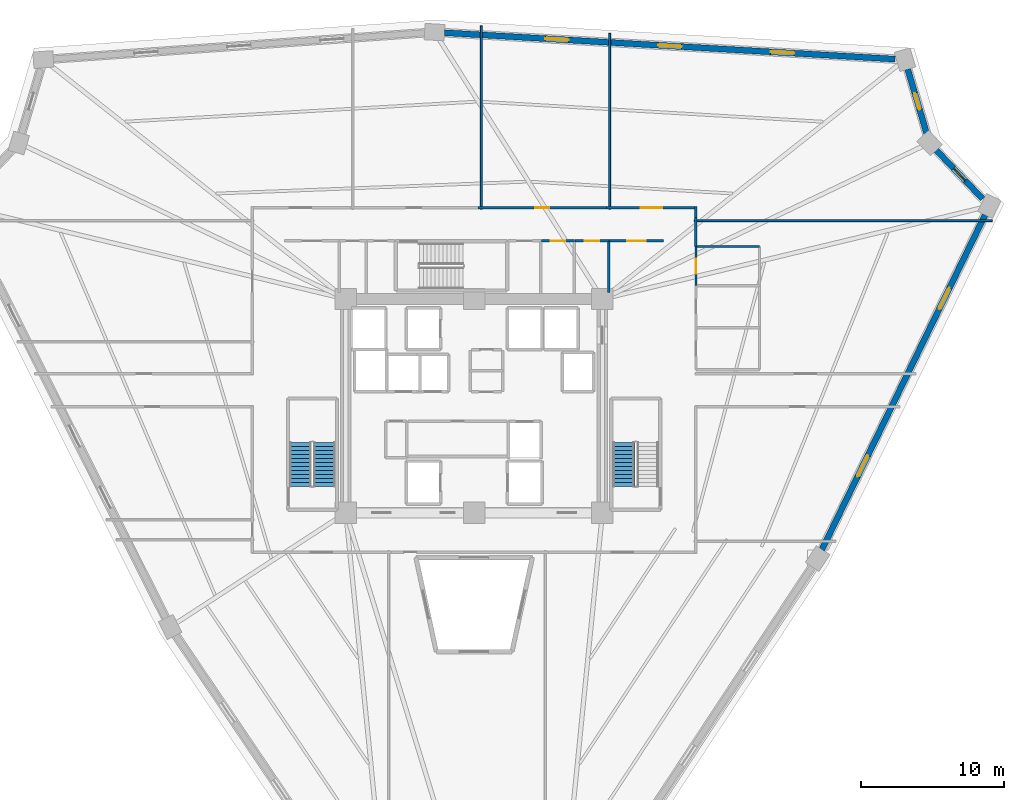
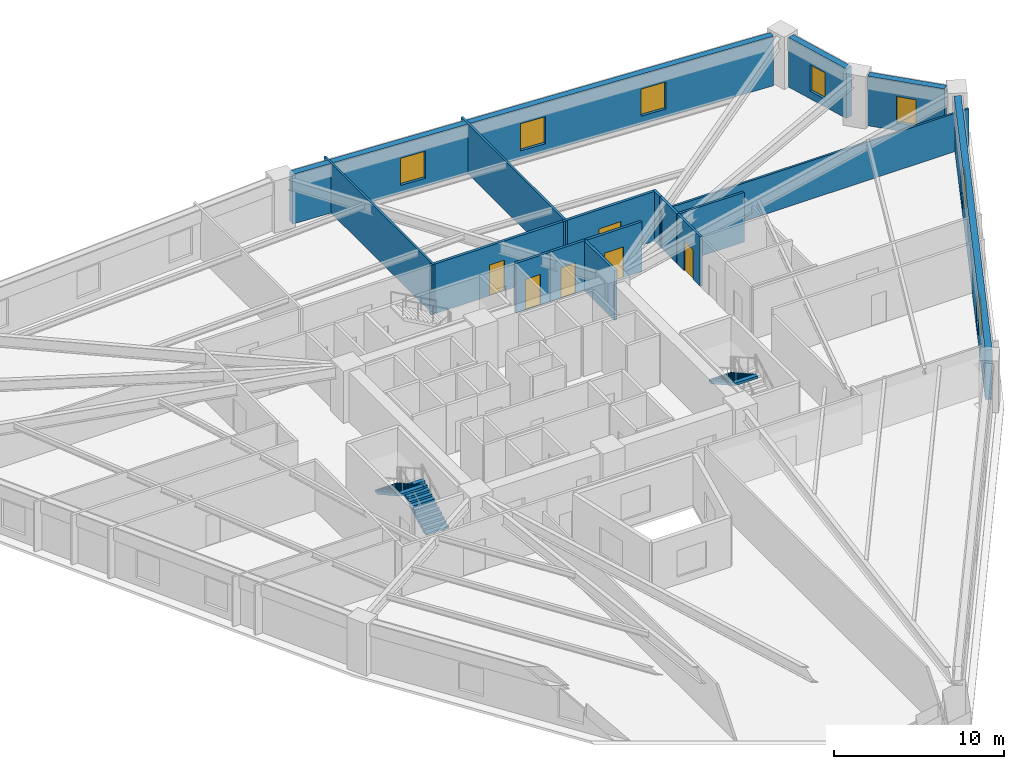
# One storey, part 7 of 10: 17 walls, 7 windows, 6 doors, 3 stair flights, 13 openings, 2 elements without a shape of their own.
"""IFC4 building model written with IfcOpenShell, lengths in metres."""

from ifc_helpers import new_model, si_unit, direction, frame, frame_2d, origin, place, context, subcontext, project, spatial, polyline, rectangle, outline, extrude, source, transform, mapped, material, layer, layer_set, type_object, element, fill, aggregate, save


model = new_model("IFC4")

# Units and contexts
model_context = context("Model", 3, precision=1e-05, world=origin(), true_north=direction((0.0, 1.0)))
body_context = subcontext(model_context, "Body", "Model", "MODEL_VIEW")
ifc_project = project(units=[si_unit("LENGTHUNIT", "METRE"), si_unit("AREAUNIT", "SQUARE_METRE"), si_unit("VOLUMEUNIT", "CUBIC_METRE"), si_unit("PLANEANGLEUNIT", "RADIAN"), si_unit("MASSUNIT", "GRAM", prefix="KILO")], contexts=[model_context])

# Site, building, storey
site_placement = place(None, origin())
site = spatial("IfcSite", under=ifc_project, at=site_placement, CompositionType="ELEMENT")
building_placement = place(site_placement, origin())
building = spatial("IfcBuilding", under=site, at=building_placement, Name="Liaohun Quay Tower", CompositionType="ELEMENT")
storey_placement = place(building_placement, frame((0.0, 0.0, 124.5)))
storey = spatial("IfcBuildingStorey", under=building, at=storey_placement, Name="L32", CompositionType="ELEMENT", Elevation=124.5)

# Wall, openings, windows
ifc_material_1 = material(Name="Precast concrete C50 insulated sandwich", Category="concrete")
ifc_layer_1 = layer(ifc_material_1, 0.419921875, Name="Precast concrete C50 insulated sandwich", Category="concrete")
ifc_layer_set_1 = layer_set([ifc_layer_1], Name="Precast concrete C50 insulated sandwich")
wall_type_1 = type_object("IfcWallType", Name="WAL-EXT-Z12", PredefinedType="SOLIDWALL", material=ifc_layer_set_1)
wall_1_placement = place(storey_placement, frame((84.40087890625, 43.909912109375, 0.0), z_axis=(0.0, 0.0, 1.0), x_axis=(0.438149799109, 0.898901971041, 0.0)))
wall_1 = element("IfcWall", 1, at=wall_1_placement, inside=storey, type_object=wall_type_1, Name="L32 Brutalist Precast Pier Wall 03", PredefinedType="SOLIDWALL", context=body_context, shape_type="SweptSolid", body=[
    extrude(rectangle(XDim=26.1396484375, YDim=0.419921875, at=frame_2d((13.06982421875, 0.0))), origin(), (0.0, 0.0, 1.0), 3.570068359375),
])
shared_shape_1 = source(origin(), body_context, "Body", "SweptSolid", [
    extrude(rectangle(XDim=1.64990234375, YDim=1.949951171875, at=frame_2d((0.824951171875, 0.97509765625))), frame((0.0, 0.219970703125, 0.0), z_axis=(0.0, -1.0, 0.0), x_axis=(1.0, 0.0, 0.0)), (0.0, 0.0, 1.0), 0.43994140625),
])
opening_1_placement = place(wall_1_placement, frame((5.7099609375, 0.0, 0.550048828125)))
opening_1 = element("IfcOpeningElement", 2, at=opening_1_placement, cuts=wall_1, Name="Opening W02", PredefinedType="OPENING", context=body_context, shape_type="MappedRepresentation", body=[
    mapped(shared_shape_1, transform((0.0, 0.0, 0.0), x_axis=(1.0, 0.0, 0.0), y_axis=(0.0, 1.0, 0.0), z_axis=(0.0, 0.0, 1.0), scale=1.0)),
])
opening_2_placement = place(wall_1_placement, frame((18.780029296875, 0.0, 0.550048828125)))
opening_2 = element("IfcOpeningElement", 3, at=opening_2_placement, cuts=wall_1, Name="Opening W02", PredefinedType="OPENING", context=body_context, shape_type="MappedRepresentation", body=[
    mapped(shared_shape_1, transform((0.0, 0.0, 0.0), x_axis=(1.0, 0.0, 0.0), y_axis=(0.0, 1.0, 0.0), z_axis=(0.0, 0.0, 1.0), scale=1.0)),
])
ifc_material_2 = material(Name="Triple Low-E argon glazing in thermally broken aluminium", Category="aluminium")
window_type_1 = type_object("IfcWindowType", Name="WIN-PUN-Z2", PartitioningType="DOUBLE_PANEL_VERTICAL", PredefinedType="WINDOW", material=ifc_material_2)
shared_shape_2 = source(origin(), body_context, "Body", "SweptSolid", [
    extrude(rectangle(XDim=1.64990234375, YDim=1.949951171875, at=frame_2d((0.824951171875, 0.97509765625))), frame((0.0, 0.030029296875, 0.0), z_axis=(0.0, -1.0, 0.0), x_axis=(1.0, 0.0, 0.0)), (0.0, 0.0, 1.0), 0.06005859375),
])
window_1_placement = place(opening_1_placement, origin())
window_1 = element("IfcWindow", 4, at=window_1_placement, inside=storey, type_object=window_type_1, Name="L32 Recessed Cold-Climate Punched Window 03-1", OverallHeight=1.949951171875, OverallWidth=1.64990234375, PartitioningType="DOUBLE_PANEL_VERTICAL", PredefinedType="WINDOW", context=body_context, shape_type="MappedRepresentation", body=[
    mapped(shared_shape_2, transform((0.0, 0.0, 0.0), x_axis=(1.0, 0.0, 0.0), y_axis=(0.0, 1.0, 0.0), z_axis=(0.0, 0.0, 1.0), scale=1.0)),
])
fill(opening_1, window_1)
window_2_placement = place(opening_2_placement, origin())
window_2 = element("IfcWindow", 5, at=window_2_placement, inside=storey, type_object=window_type_1, Name="L32 Recessed Cold-Climate Punched Window 03-3", OverallHeight=1.949951171875, OverallWidth=1.64990234375, PartitioningType="DOUBLE_PANEL_VERTICAL", PredefinedType="WINDOW", context=body_context, shape_type="MappedRepresentation", body=[
    mapped(shared_shape_2, transform((0.0, 0.0, 0.0), x_axis=(1.0, 0.0, 0.0), y_axis=(0.0, 1.0, 0.0), z_axis=(0.0, 0.0, 1.0), scale=1.0)),
])
fill(opening_2, window_2)

# Wall, opening, window
wall_2_placement = place(storey_placement, frame((95.679931640625, 68.527099609375, 0.0), z_axis=(0.0, 0.0, 1.0), x_axis=(-0.689303823825, 0.724472386265, 0.0)))
wall_2 = element("IfcWall", 6, at=wall_2_placement, inside=storey, type_object=wall_type_1, Name="L32 Brutalist Precast Pier Wall 04", PredefinedType="SOLIDWALL", context=body_context, shape_type="SweptSolid", body=[
    extrude(rectangle(XDim=4.720458984375, YDim=0.419921875, at=frame_2d((2.3603515625, 0.0))), origin(), (0.0, 0.0, 1.0), 3.570068359375),
])
shared_shape_3 = source(origin(), body_context, "Body", "SweptSolid", [
    extrude(rectangle(XDim=1.199951171875, YDim=1.89990234375, at=frame_2d((0.60009765625, 0.949951171875))), frame((0.0, 0.219970703125, 0.0), z_axis=(0.0, -1.0, 0.0), x_axis=(1.0, 0.0, 0.0)), (0.0, 0.0, 1.0), 0.43994140625),
])
opening_3_placement = place(wall_2_placement, frame((1.760009765625, 0.0, 0.550048828125)))
opening_3 = element("IfcOpeningElement", 7, at=opening_3_placement, cuts=wall_2, Name="Opening W05", PredefinedType="OPENING", context=body_context, shape_type="MappedRepresentation", body=[
    mapped(shared_shape_3, transform((0.0, 0.0, 0.0), x_axis=(1.0, 0.0, 0.0), y_axis=(0.0, 1.0, 0.0), z_axis=(0.0, 0.0, 1.0), scale=1.0)),
])
ifc_material_3 = material(Name="Triple Low-E corner notch glazing", Category="glass")
window_type_2 = type_object("IfcWindowType", Name="WIN-NOTCH", PartitioningType="SINGLE_PANEL", PredefinedType="WINDOW", material=ifc_material_3)
shared_shape_4 = source(origin(), body_context, "Body", "SweptSolid", [
    extrude(rectangle(XDim=1.199951171875, YDim=1.89990234375, at=frame_2d((0.60009765625, 0.949951171875))), frame((0.0, 0.030029296875, 0.0), z_axis=(0.0, -1.0, 0.0), x_axis=(1.0, 0.0, 0.0)), (0.0, 0.0, 1.0), 0.06005859375),
])
window_3_placement = place(opening_3_placement, origin())
window_3 = element("IfcWindow", 8, at=window_3_placement, inside=storey, type_object=window_type_2, Name="L32 Corner Notch Window W05-04", OverallHeight=1.89990234375, OverallWidth=1.199951171875, PartitioningType="SINGLE_PANEL", PredefinedType="WINDOW", context=body_context, shape_type="MappedRepresentation", body=[
    mapped(shared_shape_4, transform((0.0, 0.0, 0.0), x_axis=(1.0, 0.0, 0.0), y_axis=(0.0, 1.0, 0.0), z_axis=(0.0, 0.0, 1.0), scale=1.0)),
])
fill(opening_3, window_3)

wall_3_placement = place(storey_placement, frame((91.7548828125, 73.10888671875, 0.0), z_axis=(0.0, 0.0, 1.0), x_axis=(-0.282572950825, 0.959245811803, 0.0)))
wall_3 = element("IfcWall", 9, at=wall_3_placement, inside=storey, type_object=wall_type_1, Name="L32 Brutalist Precast Pier Wall 05", PredefinedType="SOLIDWALL", context=body_context, shape_type="SweptSolid", body=[
    extrude(rectangle(XDim=4.713134765625, YDim=0.419921875, at=frame_2d((2.3564453125, 0.0))), origin(), (0.0, 0.0, 1.0), 3.570068359375),
])
opening_4_placement = place(wall_3_placement, frame((1.757080078125, 0.0, 0.550048828125)))
opening_4 = element("IfcOpeningElement", 10, at=opening_4_placement, cuts=wall_3, Name="Opening W05", PredefinedType="OPENING", context=body_context, shape_type="MappedRepresentation", body=[
    mapped(shared_shape_3, transform((0.0, 0.0, 0.0), x_axis=(1.0, 0.0, 0.0), y_axis=(0.0, 1.0, 0.0), z_axis=(0.0, 0.0, 1.0), scale=1.0)),
])
window_4_placement = place(opening_4_placement, origin())
window_4 = element("IfcWindow", 11, at=window_4_placement, inside=storey, type_object=window_type_2, Name="L32 Corner Notch Window W05-05", OverallHeight=1.89990234375, OverallWidth=1.199951171875, PartitioningType="SINGLE_PANEL", PredefinedType="WINDOW", context=body_context, shape_type="MappedRepresentation", body=[
    mapped(shared_shape_4, transform((0.0, 0.0, 0.0), x_axis=(1.0, 0.0, 0.0), y_axis=(0.0, 1.0, 0.0), z_axis=(0.0, 0.0, 1.0), scale=1.0)),
])
fill(opening_4, window_4)

# Wall, openings, windows
wall_4_placement = place(storey_placement, frame((89.5390625, 78.33203125, 0.0), z_axis=(0.0, 0.0, 1.0), x_axis=(-0.998285887644, 0.058525947494, 0.0)))
wall_4 = element("IfcWall", 12, at=wall_4_placement, inside=storey, type_object=wall_type_1, Name="L32 Brutalist Precast Pier Wall 06", PredefinedType="SOLIDWALL", context=body_context, shape_type="SweptSolid", body=[
    extrude(rectangle(XDim=31.67822265625, YDim=0.419921875, at=frame_2d((15.839111328125, 0.0))), origin(), (0.0, 0.0, 1.0), 3.570068359375),
])
opening_5_placement = place(wall_4_placement, frame((7.094970703125, 0.0, 0.550048828125)))
opening_5 = element("IfcOpeningElement", 13, at=opening_5_placement, cuts=wall_4, Name="Opening W02", PredefinedType="OPENING", context=body_context, shape_type="MappedRepresentation", body=[
    mapped(shared_shape_1, transform((0.0, 0.0, 0.0), x_axis=(1.0, 0.0, 0.0), y_axis=(0.0, 1.0, 0.0), z_axis=(0.0, 0.0, 1.0), scale=1.0)),
])
opening_6_placement = place(wall_4_placement, frame((15.013916015625, 0.0, 0.550048828125)))
opening_6 = element("IfcOpeningElement", 14, at=opening_6_placement, cuts=wall_4, Name="Opening W02", PredefinedType="OPENING", context=body_context, shape_type="MappedRepresentation", body=[
    mapped(shared_shape_1, transform((0.0, 0.0, 0.0), x_axis=(1.0, 0.0, 0.0), y_axis=(0.0, 1.0, 0.0), z_axis=(0.0, 0.0, 1.0), scale=1.0)),
])
opening_7_placement = place(wall_4_placement, frame((22.93408203125, 0.0, 0.550048828125)))
opening_7 = element("IfcOpeningElement", 15, at=opening_7_placement, cuts=wall_4, Name="Opening W02", PredefinedType="OPENING", context=body_context, shape_type="MappedRepresentation", body=[
    mapped(shared_shape_1, transform((0.0, 0.0, 0.0), x_axis=(1.0, 0.0, 0.0), y_axis=(0.0, 1.0, 0.0), z_axis=(0.0, 0.0, 1.0), scale=1.0)),
])
window_5_placement = place(opening_5_placement, origin())
window_5 = element("IfcWindow", 16, at=window_5_placement, inside=storey, type_object=window_type_1, Name="L32 Recessed Cold-Climate Punched Window 06-1", OverallHeight=1.949951171875, OverallWidth=1.64990234375, PartitioningType="DOUBLE_PANEL_VERTICAL", PredefinedType="WINDOW", context=body_context, shape_type="MappedRepresentation", body=[
    mapped(shared_shape_2, transform((0.0, 0.0, 0.0), x_axis=(1.0, 0.0, 0.0), y_axis=(0.0, 1.0, 0.0), z_axis=(0.0, 0.0, 1.0), scale=1.0)),
])
fill(opening_5, window_5)
window_6_placement = place(opening_6_placement, origin())
window_6 = element("IfcWindow", 17, at=window_6_placement, inside=storey, type_object=window_type_1, Name="L32 Recessed Cold-Climate Punched Window 06-2", OverallHeight=1.949951171875, OverallWidth=1.64990234375, PartitioningType="DOUBLE_PANEL_VERTICAL", PredefinedType="WINDOW", context=body_context, shape_type="MappedRepresentation", body=[
    mapped(shared_shape_2, transform((0.0, 0.0, 0.0), x_axis=(1.0, 0.0, 0.0), y_axis=(0.0, 1.0, 0.0), z_axis=(0.0, 0.0, 1.0), scale=1.0)),
])
fill(opening_6, window_6)
window_7_placement = place(opening_7_placement, origin())
window_7 = element("IfcWindow", 18, at=window_7_placement, inside=storey, type_object=window_type_1, Name="L32 Recessed Cold-Climate Punched Window 06-3", OverallHeight=1.949951171875, OverallWidth=1.64990234375, PartitioningType="DOUBLE_PANEL_VERTICAL", PredefinedType="WINDOW", context=body_context, shape_type="MappedRepresentation", body=[
    mapped(shared_shape_2, transform((0.0, 0.0, 0.0), x_axis=(1.0, 0.0, 0.0), y_axis=(0.0, 1.0, 0.0), z_axis=(0.0, 0.0, 1.0), scale=1.0)),
])
fill(opening_7, window_7)

# Wall, opening, door
ifc_material_4 = material(Name="Autoclaved aerated concrete blockwork", Category="masonry")
ifc_layer_2 = layer(ifc_material_4, 0.179931640625, Name="Autoclaved aerated concrete blockwork", Category="masonry")
ifc_layer_set_2 = layer_set([ifc_layer_2], Name="Autoclaved aerated concrete blockwork")
wall_type_2 = type_object("IfcWallType", Name="WAL-PRT-COR", PredefinedType="PARTITIONING", material=ifc_layer_set_2)
wall_5_placement = place(storey_placement, frame((64.719970703125, 65.580078125, 0.0), z_axis=(0.0, 0.0, 1.0), x_axis=(1.0, 0.0, 0.0)))
wall_5 = element("IfcWall", 19, at=wall_5_placement, inside=storey, type_object=wall_type_2, Name="L32 Interior Partition Wall 011", PredefinedType="PARTITIONING", context=body_context, shape_type="SweptSolid", body=[
    extrude(rectangle(XDim=2.320068359375, YDim=0.179931640625, at=frame_2d((1.16015625, 0.0))), origin(), (0.0, 0.0, 1.0), 3.570068359375),
])
shared_shape_5 = source(origin(), body_context, "Body", "SweptSolid", [
    extrude(rectangle(XDim=1.0, YDim=2.199951171875, at=frame_2d((0.5, 1.10009765625))), frame((0.0, 0.099853515625, 0.0), z_axis=(0.0, -1.0, 0.0), x_axis=(1.0, 0.0, 0.0)), (0.0, 0.0, 1.0), 0.199951171875),
])
opening_8_placement = place(wall_5_placement, frame((0.659912109375, 0.0, 0.0)))
opening_8 = element("IfcOpeningElement", 20, at=opening_8_placement, cuts=wall_5, Name="Opening OD1", PredefinedType="OPENING", context=body_context, shape_type="MappedRepresentation", body=[
    mapped(shared_shape_5, transform((0.0, 0.0, 0.0), x_axis=(1.0, 0.0, 0.0), y_axis=(0.0, 1.0, 0.0), z_axis=(0.0, 0.0, 1.0), scale=1.0)),
])
ifc_material_5 = material(Name="Solid-core oak veneer timber leaf in steel frame", Category="steel")
door_type_1 = type_object("IfcDoorType", Name="DOR-OFF-1000", OperationType="NOTDEFINED", PredefinedType="DOOR", material=ifc_material_5)
shared_shape_6 = source(origin(), body_context, "Body", "SweptSolid", [
    extrude(rectangle(XDim=1.0, YDim=2.199951171875, at=frame_2d((0.5, 1.10009765625))), frame((0.0, 0.02490234375, 0.0), z_axis=(0.0, -1.0, 0.0), x_axis=(1.0, 0.0, 0.0)), (0.0, 0.0, 1.0), 0.050048828125),
])
door_1_placement = place(opening_8_placement, origin())
door_1 = element("IfcDoor", 21, at=door_1_placement, inside=storey, type_object=door_type_1, Name="L32 North-East Comms Room Door", OperationType="SINGLE_SWING_RIGHT", OverallHeight=2.199951171875, OverallWidth=1.0, PredefinedType="DOOR", context=body_context, shape_type="MappedRepresentation", body=[
    mapped(shared_shape_6, transform((0.0, 0.0, 0.0), x_axis=(1.0, 0.0, 0.0), y_axis=(0.0, 1.0, 0.0), z_axis=(0.0, 0.0, 1.0), scale=1.0)),
])
fill(opening_8, door_1)

wall_6_placement = place(storey_placement, frame((67.080078125, 65.580078125, 0.0), z_axis=(0.0, 0.0, 1.0), x_axis=(1.0, 0.0, 0.0)))
wall_6 = element("IfcWall", 22, at=wall_6_placement, inside=storey, type_object=wall_type_2, Name="L32 Interior Partition Wall 012", PredefinedType="PARTITIONING", context=body_context, shape_type="SweptSolid", body=[
    extrude(rectangle(XDim=2.3798828125, YDim=0.179931640625, at=frame_2d((1.18994140625, 0.0))), origin(), (0.0, 0.0, 1.0), 3.570068359375),
])
opening_9_placement = place(wall_6_placement, frame((0.68994140625, 0.0, 0.0)))
opening_9 = element("IfcOpeningElement", 23, at=opening_9_placement, cuts=wall_6, Name="Opening OD1", PredefinedType="OPENING", context=body_context, shape_type="MappedRepresentation", body=[
    mapped(shared_shape_5, transform((0.0, 0.0, 0.0), x_axis=(1.0, 0.0, 0.0), y_axis=(0.0, 1.0, 0.0), z_axis=(0.0, 0.0, 1.0), scale=1.0)),
])
door_2_placement = place(opening_9_placement, origin())
door_2 = element("IfcDoor", 24, at=door_2_placement, inside=storey, type_object=door_type_1, Name="L32 North-East Cleaner Store Door", OperationType="SINGLE_SWING_LEFT", OverallHeight=2.199951171875, OverallWidth=1.0, PredefinedType="DOOR", context=body_context, shape_type="MappedRepresentation", body=[
    mapped(shared_shape_6, transform((0.0, 0.0, 0.0), x_axis=(1.0, 0.0, 0.0), y_axis=(0.0, 1.0, 0.0), z_axis=(0.0, 0.0, 1.0), scale=1.0)),
])
fill(opening_9, door_2)

wall_7_placement = place(storey_placement, frame((69.4599609375, 65.580078125, 0.0), z_axis=(0.0, 0.0, 1.0), x_axis=(1.0, 0.0, 0.0)))
wall_7 = element("IfcWall", 25, at=wall_7_placement, inside=storey, type_object=wall_type_2, Name="L32 Interior Partition Wall 014", PredefinedType="PARTITIONING", context=body_context, shape_type="SweptSolid", body=[
    extrude(rectangle(XDim=3.840087890625, YDim=0.179931640625, at=frame_2d((1.919921875, 0.0))), origin(), (0.0, 0.0, 1.0), 3.570068359375),
])
shared_shape_7 = source(origin(), body_context, "Body", "SweptSolid", [
    extrude(rectangle(XDim=1.300048828125, YDim=2.199951171875, at=frame_2d((0.64990234375, 1.10009765625))), frame((0.0, 0.099853515625, 0.0), z_axis=(0.0, -1.0, 0.0), x_axis=(1.0, 0.0, 0.0)), (0.0, 0.0, 1.0), 0.199951171875),
])
opening_10_placement = place(wall_7_placement, frame((1.27001953125, 0.0, 0.0)))
opening_10 = element("IfcOpeningElement", 26, at=opening_10_placement, cuts=wall_7, Name="Opening FD1", PredefinedType="OPENING", context=body_context, shape_type="MappedRepresentation", body=[
    mapped(shared_shape_7, transform((0.0, 0.0, 0.0), x_axis=(1.0, 0.0, 0.0), y_axis=(0.0, 1.0, 0.0), z_axis=(0.0, 0.0, 1.0), scale=1.0)),
])
ifc_material_6 = material(Name="Galvanised steel smokeproof fire door", Category="steel")
door_type_2 = type_object("IfcDoorType", Name="DOR-FFL-1300", OperationType="NOTDEFINED", PredefinedType="DOOR", material=ifc_material_6)
shared_shape_8 = source(origin(), body_context, "Body", "SweptSolid", [
    extrude(rectangle(XDim=1.300048828125, YDim=2.199951171875, at=frame_2d((0.64990234375, 1.10009765625))), frame((0.0, 0.02490234375, 0.0), z_axis=(0.0, -1.0, 0.0), x_axis=(1.0, 0.0, 0.0)), (0.0, 0.0, 1.0), 0.050048828125),
])
door_3_placement = place(opening_10_placement, origin())
door_3 = element("IfcDoor", 27, at=door_3_placement, inside=storey, type_object=door_type_2, Name="L32 East Core Vestibule Door", OperationType="SINGLE_SWING_LEFT", OverallHeight=2.199951171875, OverallWidth=1.300048828125, PredefinedType="DOOR", context=body_context, shape_type="MappedRepresentation", body=[
    mapped(shared_shape_8, transform((0.0, 0.0, 0.0), x_axis=(1.0, 0.0, 0.0), y_axis=(0.0, 1.0, 0.0), z_axis=(0.0, 0.0, 1.0), scale=1.0)),
])
fill(opening_10, door_3)

wall_8_placement = place(storey_placement, frame((69.284912109375, 67.909912109375, 0.0), z_axis=(0.0, 0.0, 1.0), x_axis=(1.0, 0.0, 0.0)))
wall_8 = element("IfcWall", 28, at=wall_8_placement, inside=storey, type_object=wall_type_2, Name="L32 Interior Partition Wall 016", PredefinedType="PARTITIONING", context=body_context, shape_type="SweptSolid", body=[
    extrude(rectangle(XDim=6.344970703125, YDim=0.179931640625, at=frame_2d((3.17236328125, 0.0))), origin(), (0.0, 0.0, 1.0), 3.570068359375),
])
shared_shape_9 = source(origin(), body_context, "Body", "SweptSolid", [
    extrude(rectangle(XDim=1.5, YDim=2.199951171875, at=frame_2d((0.75, 1.10009765625))), frame((0.0, 0.099853515625, 0.0), z_axis=(0.0, -1.0, 0.0), x_axis=(1.0, 0.0, 0.0)), (0.0, 0.0, 1.0), 0.199951171875),
])
opening_11_placement = place(wall_8_placement, frame((2.422119140625, 0.0, 0.0)))
opening_11 = element("IfcOpeningElement", 29, at=opening_11_placement, cuts=wall_8, Name="Opening OD2", PredefinedType="OPENING", context=body_context, shape_type="MappedRepresentation", body=[
    mapped(shared_shape_9, transform((0.0, 0.0, 0.0), x_axis=(1.0, 0.0, 0.0), y_axis=(0.0, 1.0, 0.0), z_axis=(0.0, 0.0, 1.0), scale=1.0)),
])
ifc_material_7 = material(Name="Acoustic oak veneer double door")
door_type_3 = type_object("IfcDoorType", Name="DOR-OFF-1500", OperationType="DOUBLE_DOOR_SINGLE_SWING", PredefinedType="DOOR", material=ifc_material_7)
shared_shape_10 = source(origin(), body_context, "Body", "SweptSolid", [
    extrude(rectangle(XDim=1.5, YDim=2.199951171875, at=frame_2d((0.75, 1.10009765625))), frame((0.0, 0.02490234375, 0.0), z_axis=(0.0, -1.0, 0.0), x_axis=(1.0, 0.0, 0.0)), (0.0, 0.0, 1.0), 0.050048828125),
])
door_4_placement = place(opening_11_placement, origin())
door_4 = element("IfcDoor", 30, at=door_4_placement, inside=storey, type_object=door_type_3, Name="L32 Digital Prototyping Laboratory 02 Door", OperationType="DOUBLE_DOOR_SINGLE_SWING", OverallHeight=2.199951171875, OverallWidth=1.5, PredefinedType="DOOR", context=body_context, shape_type="MappedRepresentation", body=[
    mapped(shared_shape_10, transform((0.0, 0.0, 0.0), x_axis=(1.0, 0.0, 0.0), y_axis=(0.0, 1.0, 0.0), z_axis=(0.0, 0.0, 1.0), scale=1.0)),
])
fill(opening_11, door_4)

wall_9_placement = place(storey_placement, frame((60.284912109375, 67.909912109375, 0.0), z_axis=(0.0, 0.0, 1.0), x_axis=(1.0, 0.0, 0.0)))
wall_9 = element("IfcWall", 31, at=wall_9_placement, inside=storey, type_object=wall_type_2, Name="L32 Interior Partition Wall 017", PredefinedType="PARTITIONING", context=body_context, shape_type="SweptSolid", body=[
    extrude(rectangle(XDim=9.0, YDim=0.179931640625, at=frame_2d((4.5, 0.0))), origin(), (0.0, 0.0, 1.0), 3.570068359375),
])
opening_12_placement = place(wall_9_placement, frame((4.0, 0.0, 0.0)))
opening_12 = element("IfcOpeningElement", 32, at=opening_12_placement, cuts=wall_9, Name="Opening OD1", PredefinedType="OPENING", context=body_context, shape_type="MappedRepresentation", body=[
    mapped(shared_shape_5, transform((0.0, 0.0, 0.0), x_axis=(1.0, 0.0, 0.0), y_axis=(0.0, 1.0, 0.0), z_axis=(0.0, 0.0, 1.0), scale=1.0)),
])
door_5_placement = place(opening_12_placement, origin())
door_5 = element("IfcDoor", 33, at=door_5_placement, inside=storey, type_object=door_type_1, Name="L32 Technical Reference Library 03 Door", OperationType="SINGLE_SWING_RIGHT", OverallHeight=2.199951171875, OverallWidth=1.0, PredefinedType="DOOR", context=body_context, shape_type="MappedRepresentation", body=[
    mapped(shared_shape_6, transform((0.0, 0.0, 0.0), x_axis=(1.0, 0.0, 0.0), y_axis=(0.0, 1.0, 0.0), z_axis=(0.0, 0.0, 1.0), scale=1.0)),
])
fill(opening_12, door_5)

# Walls
wall_10_placement = place(storey_placement, frame((69.4599609375, 61.949951171875, 0.0), z_axis=(0.0, 0.0, 1.0), x_axis=(0.0, 1.0, 0.0)))
element("IfcWall", 34, at=wall_10_placement, inside=storey, type_object=wall_type_2, Name="L32 Interior Partition Wall 043", PredefinedType="PARTITIONING", context=body_context, shape_type="SweptSolid", body=[
    extrude(rectangle(XDim=3.630126953125, YDim=0.179931640625, at=frame_2d((1.81494140625, 0.0))), origin(), (0.0, 0.0, 1.0), 3.570068359375),
])
wall_11_placement = place(storey_placement, frame((75.56005859375, 67.215087890625, 0.0), z_axis=(0.0, 0.0, 1.0), x_axis=(0.0, -1.0, 0.0)))
element("IfcWall", 35, at=wall_11_placement, inside=storey, type_object=wall_type_2, Name="L32 Interior Partition Wall 044", PredefinedType="PARTITIONING", context=body_context, shape_type="SweptSolid", body=[
    extrude(rectangle(XDim=2.03515625, YDim=0.179931640625, at=frame_2d((1.017578125, 0.0))), origin(), (0.0, 0.0, 1.0), 3.570068359375),
])
wall_12_placement = place(storey_placement, frame((75.56005859375, 67.97998046875, 0.0), z_axis=(0.0, 0.0, 1.0), x_axis=(0.0, -1.0, 0.0)))
element("IfcWall", 36, at=wall_12_placement, inside=storey, type_object=wall_type_2, Name="L32 Interior Partition Wall 045", PredefinedType="PARTITIONING", context=body_context, shape_type="SweptSolid", body=[
    extrude(rectangle(XDim=0.764892578125, YDim=0.179931640625, at=frame_2d((0.38232421875, 0.0))), origin(), (0.0, 0.0, 1.0), 3.570068359375),
])
ifc_material_8 = material(Name="Gypsum board on twin steel studs", Category="steel")
ifc_layer_3 = layer(ifc_material_8, 0.139892578125, Name="Gypsum board on twin steel studs", Category="steel")
ifc_layer_set_3 = layer_set([ifc_layer_3], Name="Gypsum board on twin steel studs")
wall_type_3 = type_object("IfcWallType", Name="WAL-PRT-OFF", PredefinedType="PARTITIONING", material=ifc_layer_set_3)
wall_13_placement = place(storey_placement, frame((75.4599609375, 67.0, 0.0), z_axis=(0.0, 0.0, 1.0), x_axis=(1.0, 0.0, 0.0)))
element("IfcWall", 37, at=wall_13_placement, inside=storey, type_object=wall_type_3, Name="L32 Interior Partition Wall 057", PredefinedType="PARTITIONING", context=body_context, shape_type="SweptSolid", body=[
    extrude(rectangle(XDim=20.89697265625, YDim=0.139892578125, at=frame_2d((10.448486328125, 0.0))), origin(), (0.0, 0.0, 1.0), 2.7548828125),
])
wall_14_placement = place(storey_placement, frame((60.5, 67.81005859375, 0.0), z_axis=(0.0, 0.0, 1.0), x_axis=(0.0, 1.0, 0.0)))
element("IfcWall", 38, at=wall_14_placement, inside=storey, type_object=wall_type_3, Name="L32 Interior Partition Wall 059", PredefinedType="PARTITIONING", context=body_context, shape_type="SweptSolid", body=[
    extrude(rectangle(XDim=12.85498046875, YDim=0.139892578125, at=frame_2d((6.427490234375, 0.0))), origin(), (0.0, 0.0, 1.0), 3.570068359375),
])
wall_15_placement = place(storey_placement, frame((69.5, 67.81005859375, 0.0), z_axis=(0.0, 0.0, 1.0), x_axis=(0.0, 1.0, 0.0)))
element("IfcWall", 39, at=wall_15_placement, inside=storey, type_object=wall_type_3, Name="L32 Interior Partition Wall 060", PredefinedType="PARTITIONING", context=body_context, shape_type="SweptSolid", body=[
    extrude(rectangle(XDim=12.327880859375, YDim=0.139892578125, at=frame_2d((6.1640625, 0.0))), origin(), (0.0, 0.0, 1.0), 3.570068359375),
])

# Wall, opening, door
ifc_material_9 = material(Name="Moisture-resistant masonry blockwork", Category="masonry")
ifc_layer_4 = layer(ifc_material_9, 0.159912109375, Name="Moisture-resistant masonry blockwork", Category="masonry")
ifc_layer_set_4 = layer_set([ifc_layer_4], Name="Moisture-resistant masonry blockwork")
wall_type_4 = type_object("IfcWallType", Name="WAL-PRT-WET", PredefinedType="PARTITIONING", material=ifc_layer_set_4)
wall_16_placement = place(storey_placement, frame((75.56005859375, 62.43994140625, 0.0), z_axis=(0.0, 0.0, 1.0), x_axis=(0.0, 1.0, 0.0)))
wall_16 = element("IfcWall", 40, at=wall_16_placement, inside=storey, type_object=wall_type_4, Name="L32 Interior Partition Wall 007", PredefinedType="PARTITIONING", context=body_context, shape_type="SweptSolid", body=[
    extrude(rectangle(XDim=2.739990234375, YDim=0.159912109375, at=frame_2d((1.3701171875, 0.0))), origin(), (0.0, 0.0, 1.0), 3.570068359375),
])
shared_shape_11 = source(origin(), body_context, "Body", "SweptSolid", [
    extrude(rectangle(XDim=1.050048828125, YDim=2.14990234375, at=frame_2d((0.52490234375, 1.074951171875))), frame((0.0, 0.08984375, 0.0), z_axis=(0.0, -1.0, 0.0), x_axis=(1.0, 0.0, 0.0)), (0.0, 0.0, 1.0), 0.179931640625),
])
opening_13_placement = place(wall_16_placement, frame((0.844970703125, 0.0, 0.0)))
opening_13 = element("IfcOpeningElement", 41, at=opening_13_placement, cuts=wall_16, Name="Opening WD2", PredefinedType="OPENING", context=body_context, shape_type="MappedRepresentation", body=[
    mapped(shared_shape_11, transform((0.0, 0.0, 0.0), x_axis=(1.0, 0.0, 0.0), y_axis=(0.0, 1.0, 0.0), z_axis=(0.0, 0.0, 1.0), scale=1.0)),
])
ifc_material_10 = material(Name="Accessible outward-swinging laminate door")
door_type_4 = type_object("IfcDoorType", Name="DOR-AWC-1050", OperationType="NOTDEFINED", PredefinedType="DOOR", material=ifc_material_10)
shared_shape_12 = source(origin(), body_context, "Body", "SweptSolid", [
    extrude(rectangle(XDim=1.050048828125, YDim=2.14990234375, at=frame_2d((0.52490234375, 1.074951171875))), frame((0.0, 0.02490234375, 0.0), z_axis=(0.0, -1.0, 0.0), x_axis=(1.0, 0.0, 0.0)), (0.0, 0.0, 1.0), 0.050048828125),
])
door_6_placement = place(opening_13_placement, origin())
door_6 = element("IfcDoor", 42, at=door_6_placement, inside=storey, type_object=door_type_4, Name="L32 Accessible WC Door", OperationType="SINGLE_SWING_RIGHT", OverallHeight=2.14990234375, OverallWidth=1.050048828125, PredefinedType="DOOR", context=body_context, shape_type="MappedRepresentation", body=[
    mapped(shared_shape_12, transform((0.0, 0.0, 0.0), x_axis=(1.0, 0.0, 0.0), y_axis=(0.0, 1.0, 0.0), z_axis=(0.0, 0.0, 1.0), scale=1.0)),
])
fill(opening_13, door_6)

# Wall
wall_17_placement = place(storey_placement, frame((75.56005859375, 65.179931640625, 0.0), z_axis=(0.0, 0.0, 1.0), x_axis=(1.0, 0.0, 0.0)))
element("IfcWall", 43, at=wall_17_placement, inside=storey, type_object=wall_type_4, Name="L32 Interior Partition Wall 038", PredefinedType="PARTITIONING", context=body_context, shape_type="SweptSolid", body=[
    extrude(rectangle(XDim=4.4599609375, YDim=0.159912109375, at=frame_2d((2.22998046875, 0.0))), origin(), (0.0, 0.0, 1.0), 3.570068359375),
])

# Stair, stair flights
ifc_material_11 = material(Name="Concrete C45", Category="concrete")
stair_type = type_object("IfcStairType", Name="STR-CORE-OFF", PredefinedType="HALF_TURN_STAIR", material=ifc_material_11)
stair_1_placement = place(storey_placement, origin())
stair_1 = element("IfcStair", 44, at=stair_1_placement, inside=storey, type_object=stair_type, Name="L32 Smokeproof Core Exit Stair ST-1", PredefinedType="HALF_TURN_STAIR")
stair_flight_type = type_object("IfcStairFlightType", Name="FLT-CORE-155", PredefinedType="STRAIGHT", material=ifc_material_11)
stair_flight_1_placement = place(storey_placement, frame((49.5048828125, 48.35009765625, 0.0), z_axis=(0.0, 0.0, 1.0), x_axis=(0.0, 1.0, 0.0)))
stair_flight_1 = element("IfcStairFlight", 45, at=stair_flight_1_placement, type_object=stair_flight_type, Name="ST-1 flight 1", NumberOfRisers=12, NumberOfTreads=11, PredefinedType="STRAIGHT", RiserHeight=0.15625, TreadLength=0.28, context=body_context, shape_type="SweptSolid", body=[
    extrude(outline(polyline([(0.0, 0.0), (0.0, 0.15625), (0.280029296875, 0.15625), (0.280029296875, 0.3125), (0.56005859375, 0.3125), (0.56005859375, 0.46875), (0.840087890625, 0.46875), (0.840087890625, 0.625), (1.1201171875, 0.625), (1.1201171875, 0.78125), (1.39990234375, 0.78125), (1.39990234375, 0.9375), (1.679931640625, 0.9375), (1.679931640625, 1.09375), (1.9599609375, 1.09375), (1.9599609375, 1.25), (2.239990234375, 1.25), (2.239990234375, 1.40625), (2.52001953125, 1.40625), (2.52001953125, 1.5625), (2.800048828125, 1.5625), (2.800048828125, 1.71875), (3.080078125, 1.71875), (3.080078125, 1.875), (3.080078125, 1.547119140625), (0.3076171875, 0.0), (0.0, 0.0)])), frame((0.0, 0.77490234375, 0.0), z_axis=(0.0, -1.0, 0.0), x_axis=(1.0, 0.0, 0.0)), (0.0, 0.0, 1.0), 1.550048828125),
])
stair_flight_2_placement = place(storey_placement, frame((47.81494140625, 51.429931640625, 1.875), z_axis=(0.0, 0.0, 1.0), x_axis=(0.0, -1.0, 0.0)))
stair_flight_2 = element("IfcStairFlight", 46, at=stair_flight_2_placement, type_object=stair_flight_type, Name="ST-1 flight 2", NumberOfRisers=12, NumberOfTreads=11, PredefinedType="STRAIGHT", RiserHeight=0.15625, TreadLength=0.28, context=body_context, shape_type="SweptSolid", body=[
    extrude(outline(polyline([(0.0, 0.0), (0.0, 0.15625), (0.280029296875, 0.15625), (0.280029296875, 0.3125), (0.56005859375, 0.3125), (0.56005859375, 0.46875), (0.840087890625, 0.46875), (0.840087890625, 0.625), (1.1201171875, 0.625), (1.1201171875, 0.78125), (1.39990234375, 0.78125), (1.39990234375, 0.9375), (1.679931640625, 0.9375), (1.679931640625, 1.09375), (1.9599609375, 1.09375), (1.9599609375, 1.25), (2.239990234375, 1.25), (2.239990234375, 1.40625), (2.52001953125, 1.40625), (2.52001953125, 1.5625), (2.800048828125, 1.5625), (2.800048828125, 1.71875), (3.080078125, 1.71875), (3.080078125, 1.875), (3.080078125, 1.547119140625), (0.3076171875, 0.0), (0.0, 0.0)])), frame((0.0, 0.77490234375, 0.0), z_axis=(0.0, -1.0, 0.0), x_axis=(1.0, 0.0, 0.0)), (0.0, 0.0, 1.0), 1.550048828125),
])
aggregate(stair_1, [stair_flight_1, stair_flight_2])

# Stair, stair flight
stair_2_placement = place(storey_placement, origin())
stair_2 = element("IfcStair", 47, at=stair_2_placement, inside=storey, type_object=stair_type, Name="L32 Smokeproof Core Exit Stair ST-2", PredefinedType="HALF_TURN_STAIR")
stair_flight_3_placement = place(storey_placement, frame((70.4951171875, 51.429931640625, 1.875), z_axis=(0.0, 0.0, 1.0), x_axis=(0.0, -1.0, 0.0)))
stair_flight_3 = element("IfcStairFlight", 48, at=stair_flight_3_placement, type_object=stair_flight_type, Name="ST-2 flight 2", NumberOfRisers=12, NumberOfTreads=11, PredefinedType="STRAIGHT", RiserHeight=0.15625, TreadLength=0.28, context=body_context, shape_type="SweptSolid", body=[
    extrude(outline(polyline([(0.0, 0.0), (0.0, 0.15625), (0.280029296875, 0.15625), (0.280029296875, 0.3125), (0.56005859375, 0.3125), (0.56005859375, 0.46875), (0.840087890625, 0.46875), (0.840087890625, 0.625), (1.1201171875, 0.625), (1.1201171875, 0.78125), (1.39990234375, 0.78125), (1.39990234375, 0.9375), (1.679931640625, 0.9375), (1.679931640625, 1.09375), (1.9599609375, 1.09375), (1.9599609375, 1.25), (2.239990234375, 1.25), (2.239990234375, 1.40625), (2.52001953125, 1.40625), (2.52001953125, 1.5625), (2.800048828125, 1.5625), (2.800048828125, 1.71875), (3.080078125, 1.71875), (3.080078125, 1.875), (3.080078125, 1.547119140625), (0.3076171875, 0.0), (0.0, 0.0)])), frame((0.0, 0.77490234375, 0.0), z_axis=(0.0, -1.0, 0.0), x_axis=(1.0, 0.0, 0.0)), (0.0, 0.0, 1.0), 1.550048828125),
])
aggregate(stair_2, [stair_flight_3])

save(model, "model.ifc")
